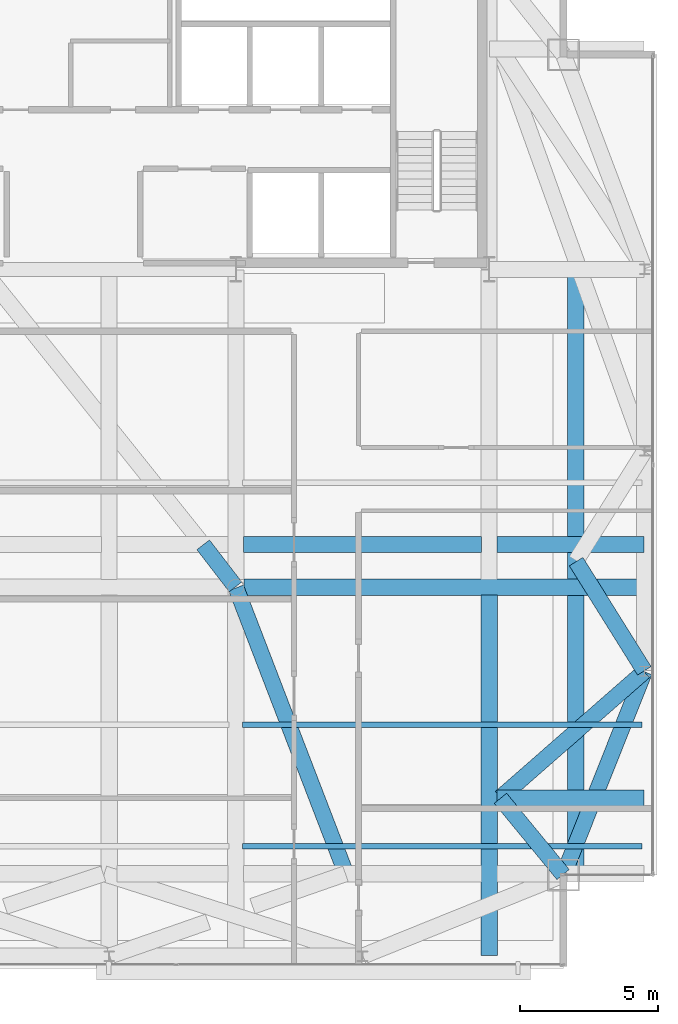
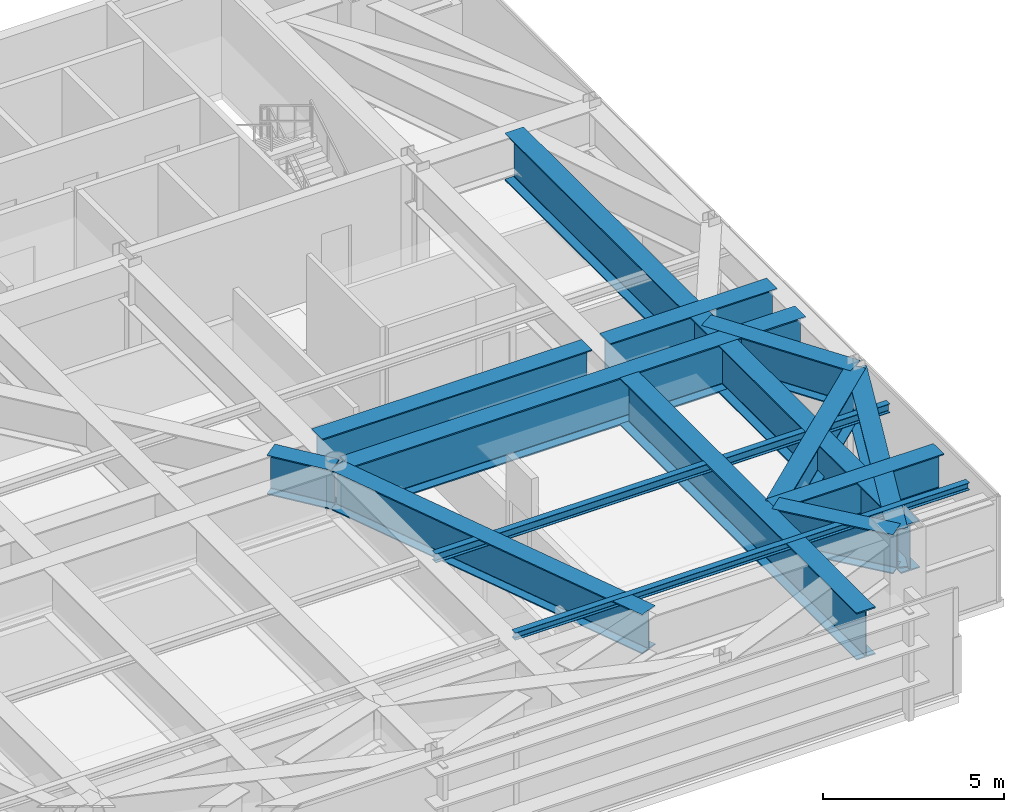
# One storey, part 13 of 23: 14 beams.
"""IFC4 building model written with IfcOpenShell, lengths in metres."""

from ifc_helpers import new_model, si_unit, direction, frame, origin, origin_2d, place, context, subcontext, project, spatial, i_section, extrude, source, transform, mapped, material, material_profile, profile_set, type_object, type_shapes, element, save


model = new_model("IFC4")

# Units and contexts
model_context = context("Model", 3, precision=1e-05, world=origin(), true_north=direction((0.0, 1.0)))
body_context = subcontext(model_context, "Body", "Model", "MODEL_VIEW")
ifc_project = project(units=[si_unit("LENGTHUNIT", "METRE"), si_unit("AREAUNIT", "SQUARE_METRE"), si_unit("VOLUMEUNIT", "CUBIC_METRE"), si_unit("PLANEANGLEUNIT", "RADIAN"), si_unit("MASSUNIT", "GRAM", prefix="KILO")], contexts=[model_context])

# Site, building, storey
site_placement = place(None, origin())
site = spatial("IfcSite", under=ifc_project, at=site_placement, CompositionType="ELEMENT")
building_placement = place(site_placement, origin())
building = spatial("IfcBuilding", under=site, at=building_placement, Name="Varnel Quay Broadcast Tower", CompositionType="ELEMENT")
storey_placement = place(building_placement, frame((0.0, 0.0, 254.60009765625)))
storey = spatial("IfcBuildingStorey", under=building, at=storey_placement, Name="L63", CompositionType="ELEMENT", Elevation=254.60009765625)

# Beams
ifc_material_1 = material(Name="Structural Steel CSA G40.21 350WT", Category="steel")
ifc_material_profile_1 = material_profile(ifc_material_1, i_section(OverallWidth=0.580078125, OverallDepth=1.330078125, WebThickness=0.02197265625, FlangeThickness=0.0380859375, FilletRadius=0.02001953125, at=origin_2d()), Name="WWF1330X535")
ifc_profile_set_1 = profile_set([ifc_material_profile_1], Name="Structural Steel CSA G40.21 350WT")
beam_type_1 = type_object("IfcBeamType", Name="Girder_WWF1330X535", PredefinedType="BEAM", material=ifc_profile_set_1)
shared_shape_1 = source(origin(), body_context, "Body", "SweptSolid", [
    extrude(i_section(OverallWidth=0.580078125, OverallDepth=1.330078125, WebThickness=0.02197265625, FlangeThickness=0.0380859375, FilletRadius=0.02001953125, at=origin_2d()), origin(), (0.0, 0.0, 1.0), 8.6298828125),
])
beam_1_placement = place(storey_placement, frame((43.485107421875, 25.610107421875, 2.885009765625), z_axis=(1.0, 0.0, 0.0), x_axis=(0.0, 1.0, 0.0)))
element("IfcBeam", 1, at=beam_1_placement, inside=storey, type_object=beam_type_1, Name="L63 Setback Interior Column Transfer 7", PredefinedType="BEAM", context=body_context, shape_type="MappedRepresentation", body=[
    mapped(shared_shape_1, transform((0.0, 0.0, 0.0), x_axis=(1.0, 0.0, 0.0), y_axis=(0.0, 1.0, 0.0), z_axis=(0.0, 0.0, 1.0), scale=1.0)),
])
shared_shape_2 = source(origin(), body_context, "Body", "SweptSolid", [
    extrude(i_section(OverallWidth=0.580078125, OverallDepth=1.330078125, WebThickness=0.02197265625, FlangeThickness=0.0380859375, FilletRadius=0.02001953125, at=origin_2d()), origin(), (0.0, 0.0, 1.0), 7.92626953125),
])
beam_2_placement = place(storey_placement, frame((55.107421875, 13.61865234375, 2.885009765625), z_axis=(0.370296431883, 0.928913641053, 0.0), x_axis=(-0.928913641053, 0.370296431883, 0.0)))
element("IfcBeam", 2, at=beam_2_placement, inside=storey, type_object=beam_type_1, Name="L63 East Transfer Spine MC-SE-TC-E1", PredefinedType="BEAM", context=body_context, shape_type="MappedRepresentation", body=[
    mapped(shared_shape_2, transform((0.0, 0.0, 0.0), x_axis=(1.0, 0.0, 0.0), y_axis=(0.0, 1.0, 0.0), z_axis=(0.0, 0.0, 1.0), scale=1.0)),
])
ifc_material_profile_2 = material_profile(ifc_material_1, i_section(OverallWidth=0.60009765625, OverallDepth=1.60009765625, WebThickness=0.02392578125, FlangeThickness=0.0419921875, FilletRadius=0.02197265625, at=origin_2d()), Name="WWF1600X620")
ifc_profile_set_2 = profile_set([ifc_material_profile_2], Name="Structural Steel CSA G40.21 350WT")
beam_type_2 = type_object("IfcBeamType", Name="Girder_WWF1600X620", PredefinedType="BEAM", material=ifc_profile_set_2)
shared_shape_3 = source(origin(), body_context, "Body", "SweptSolid", [
    extrude(i_section(OverallWidth=0.60009765625, OverallDepth=1.60009765625, WebThickness=0.02392578125, FlangeThickness=0.0419921875, FilletRadius=0.02197265625, at=origin_2d()), origin(), (0.0, 0.0, 1.0), 14.525146484375),
])
beam_3_placement = place(storey_placement, frame((43.5048828125, 24.050048828125, 2.75), z_axis=(1.0, 0.0, 0.0), x_axis=(0.0, 1.0, 0.0)))
element("IfcBeam", 3, at=beam_3_placement, inside=storey, type_object=beam_type_2, Name="L63 Mid Transfer Spine E", PredefinedType="BEAM", context=body_context, shape_type="MappedRepresentation", body=[
    mapped(shared_shape_3, transform((0.0, 0.0, 0.0), x_axis=(1.0, 0.0, 0.0), y_axis=(0.0, 1.0, 0.0), z_axis=(0.0, 0.0, 1.0), scale=1.0)),
])
shared_shape_4 = source(origin(), body_context, "Body", "SweptSolid", [
    extrude(i_section(OverallWidth=0.60009765625, OverallDepth=1.60009765625, WebThickness=0.02392578125, FlangeThickness=0.0419921875, FilletRadius=0.02197265625, at=origin_2d()), origin(), (0.0, 0.0, 1.0), 13.094970703125),
])
beam_4_placement = place(storey_placement, frame((52.39990234375, 10.669921875, 2.75), z_axis=(0.0, 1.0, 0.0), x_axis=(-1.0, 0.0, 0.0)))
element("IfcBeam", 4, at=beam_4_placement, inside=storey, type_object=beam_type_2, Name="L63 N-S Transfer Girder 7A", PredefinedType="BEAM", context=body_context, shape_type="MappedRepresentation", body=[
    mapped(shared_shape_4, transform((0.0, 0.0, 0.0), x_axis=(1.0, 0.0, 0.0), y_axis=(0.0, 1.0, 0.0), z_axis=(0.0, 0.0, 1.0), scale=1.0)),
])
shared_shape_5 = source(origin(), body_context, "Body", "SweptSolid", [
    extrude(i_section(OverallWidth=0.580078125, OverallDepth=1.330078125, WebThickness=0.02197265625, FlangeThickness=0.0380859375, FilletRadius=0.02001953125, at=origin_2d()), origin(), (0.0, 0.0, 1.0), 5.344970703125),
])
for number, where, z_axis, x_axis, name in (
    (5, (52.68505859375, 16.39990234375, 2.885009765625), (1.0, 0.0, 0.0), (0.0, 1.0, 0.0), "L63 Setback Corner South Transfer 8"),
    (6, (52.68505859375, 25.610107421875, 2.885009765625), (1.0, 0.0, 0.0), (0.0, 1.0, 0.0), "L63 Setback Interior Column Transfer 8"),
):
    element("IfcBeam", number, at=place(storey_placement, frame(where, z_axis=z_axis, x_axis=x_axis)), inside=storey, type_object=beam_type_1, Name=name, PredefinedType="BEAM", context=body_context, shape_type="MappedRepresentation", body=[
        mapped(shared_shape_5, transform((0.0, 0.0, 0.0), x_axis=(1.0, 0.0, 0.0), y_axis=(0.0, 1.0, 0.0), z_axis=(0.0, 0.0, 1.0), scale=1.0)),
    ])
shared_shape_6 = source(origin(), body_context, "Body", "SweptSolid", [
    extrude(i_section(OverallWidth=0.60009765625, OverallDepth=1.60009765625, WebThickness=0.02392578125, FlangeThickness=0.0419921875, FilletRadius=0.02197265625, at=origin_2d()), origin(), (0.0, 0.0, 1.0), 21.91015625),
])
type_shapes(beam_type_2, [shared_shape_3, shared_shape_4, shared_shape_6])
beam_5_placement = place(storey_placement, frame((55.550048828125, 13.669921875, 2.75), z_axis=(0.0, 1.0, 0.0), x_axis=(-1.0, 0.0, 0.0)))
element("IfcBeam", 7, at=beam_5_placement, inside=storey, type_object=beam_type_2, Name="L63 Setback East Transfer Header", PredefinedType="BEAM", context=body_context, shape_type="MappedRepresentation", body=[
    mapped(shared_shape_6, transform((0.0, 0.0, 0.0), x_axis=(1.0, 0.0, 0.0), y_axis=(0.0, 1.0, 0.0), z_axis=(0.0, 0.0, 1.0), scale=1.0)),
])
shared_shape_7 = source(origin(), body_context, "Body", "SweptSolid", [
    extrude(i_section(OverallWidth=0.580078125, OverallDepth=1.330078125, WebThickness=0.02197265625, FlangeThickness=0.0380859375, FilletRadius=0.02001953125, at=origin_2d()), origin(), (0.0, 0.0, 1.0), 3.58349609375),
])
beam_6_placement = place(storey_placement, frame((55.08740234375, 13.615478515625, 2.885009765625), z_axis=(-0.63475395181, 0.772714320213, 0.0), x_axis=(-0.772714320213, -0.63475395181, 0.0)))
element("IfcBeam", 8, at=beam_6_placement, inside=storey, type_object=beam_type_1, Name="L63 Nodal Transfer Tie MC-SE-MC-SE", PredefinedType="BEAM", context=body_context, shape_type="MappedRepresentation", body=[
    mapped(shared_shape_7, transform((0.0, 0.0, 0.0), x_axis=(1.0, 0.0, 0.0), y_axis=(0.0, 1.0, 0.0), z_axis=(0.0, 0.0, 1.0), scale=1.0)),
])
shared_shape_8 = source(origin(), body_context, "Body", "SweptSolid", [
    extrude(i_section(OverallWidth=0.580078125, OverallDepth=1.330078125, WebThickness=0.02197265625, FlangeThickness=0.0380859375, FilletRadius=0.02001953125, at=origin_2d()), origin(), (0.0, 0.0, 1.0), 6.940185546875),
])
beam_7_placement = place(storey_placement, frame((58.034912109375, 20.98681640625, 2.885009765625), z_axis=(-0.75212979861, -0.659014996827, 0.0), x_axis=(0.659014996827, -0.75212979861, 0.0)))
element("IfcBeam", 9, at=beam_7_placement, inside=storey, type_object=beam_type_1, Name="L63 Nodal Transfer Tie MC-SE-TC-E1", PredefinedType="BEAM", context=body_context, shape_type="MappedRepresentation", body=[
    mapped(shared_shape_8, transform((0.0, 0.0, 0.0), x_axis=(1.0, 0.0, 0.0), y_axis=(0.0, 1.0, 0.0), z_axis=(0.0, 0.0, 1.0), scale=1.0)),
])
shared_shape_9 = source(origin(), body_context, "Body", "SweptSolid", [
    extrude(i_section(OverallWidth=0.580078125, OverallDepth=1.330078125, WebThickness=0.02197265625, FlangeThickness=0.0380859375, FilletRadius=0.02001953125, at=origin_2d()), origin(), (0.0, 0.0, 1.0), 11.1025390625),
])
beam_8_placement = place(storey_placement, frame((43.207275390625, 24.03125, 2.885009765625), z_axis=(0.358979079309, -0.933345606203, 0.0), x_axis=(0.933345606203, 0.358979079309, 0.0)))
element("IfcBeam", 10, at=beam_8_placement, inside=storey, type_object=beam_type_1, Name="L63 Nodal Transfer Tie TC-S4-IC-02", PredefinedType="BEAM", context=body_context, shape_type="MappedRepresentation", body=[
    mapped(shared_shape_9, transform((0.0, 0.0, 0.0), x_axis=(1.0, 0.0, 0.0), y_axis=(0.0, 1.0, 0.0), z_axis=(0.0, 0.0, 1.0), scale=1.0)),
])
shared_shape_10 = source(origin(), body_context, "Body", "SweptSolid", [
    extrude(i_section(OverallWidth=0.580078125, OverallDepth=1.330078125, WebThickness=0.02197265625, FlangeThickness=0.0380859375, FilletRadius=0.02001953125, at=origin_2d()), origin(), (0.0, 0.0, 1.0), 4.6767578125),
])
beam_9_placement = place(storey_placement, frame((58.039306640625, 21.01708984375, 2.885009765625), z_axis=(-0.530017709514, 0.847986572772, 0.0), x_axis=(-0.847986572772, -0.530017709514, 0.0)))
element("IfcBeam", 11, at=beam_9_placement, inside=storey, type_object=beam_type_1, Name="L63 Nodal Transfer Tie TC-E1-TC-E1", PredefinedType="BEAM", context=body_context, shape_type="MappedRepresentation", body=[
    mapped(shared_shape_10, transform((0.0, 0.0, 0.0), x_axis=(1.0, 0.0, 0.0), y_axis=(0.0, 1.0, 0.0), z_axis=(0.0, 0.0, 1.0), scale=1.0)),
])
shared_shape_11 = source(origin(), body_context, "Body", "SweptSolid", [
    extrude(i_section(OverallWidth=0.580078125, OverallDepth=1.330078125, WebThickness=0.02197265625, FlangeThickness=0.0380859375, FilletRadius=0.02001953125, at=origin_2d()), origin(), (0.0, 0.0, 1.0), 1.927978515625),
])
type_shapes(beam_type_1, [shared_shape_1, shared_shape_2, shared_shape_5, shared_shape_7, shared_shape_8, shared_shape_9, shared_shape_10, shared_shape_11])
beam_10_placement = place(storey_placement, frame((43.187744140625, 24.06591796875, 2.885009765625), z_axis=(-0.609741359621, 0.792600450648, 0.0), x_axis=(-0.792600450648, -0.609741359621, 0.0)))
element("IfcBeam", 12, at=beam_10_placement, inside=storey, type_object=beam_type_1, Name="L63 Nodal Transfer Tie IC-02-IC-02", PredefinedType="BEAM", context=body_context, shape_type="MappedRepresentation", body=[
    mapped(shared_shape_11, transform((0.0, 0.0, 0.0), x_axis=(1.0, 0.0, 0.0), y_axis=(0.0, 1.0, 0.0), z_axis=(0.0, 0.0, 1.0), scale=1.0)),
])
ifc_material_2 = material(Name="Structural Steel CSA G40.21 350W", Category="steel")
ifc_material_profile_3 = material_profile(ifc_material_2, i_section(OverallWidth=0.201904296875, OverallDepth=0.2470703125, WebThickness=0.00732421875, FlangeThickness=0.010986328125, FilletRadius=0.010986328125, at=origin_2d()), Name="W250X49")
ifc_profile_set_3 = profile_set([ifc_material_profile_3], Name="Structural Steel CSA G40.21 350W")
beam_type_3 = type_object("IfcBeamType", Name="Beam_W250X49", PredefinedType="JOIST", material=ifc_profile_set_3)
shared_shape_12 = source(origin(), body_context, "Body", "SweptSolid", [
    extrude(i_section(OverallWidth=0.201904296875, OverallDepth=0.2470703125, WebThickness=0.00732421875, FlangeThickness=0.010986328125, FilletRadius=0.010986328125, at=origin_2d()), origin(), (0.0, 0.0, 1.0), 14.50732421875),
])
type_shapes(beam_type_3, [shared_shape_12])
beam_11_placement = place(storey_placement, frame((43.445068359375, 14.64990234375, 3.426513671875), z_axis=(1.0, 0.0, 0.0), x_axis=(0.0, 1.0, 0.0)))
element("IfcBeam", 13, at=beam_11_placement, inside=storey, type_object=beam_type_3, Name="L63 East Floor Joist 1", PredefinedType="JOIST", context=body_context, shape_type="MappedRepresentation", body=[
    mapped(shared_shape_12, transform((0.0, 0.0, 0.0), x_axis=(1.0, 0.0, 0.0), y_axis=(0.0, 1.0, 0.0), z_axis=(0.0, 0.0, 1.0), scale=1.0)),
])
ifc_material_profile_4 = material_profile(ifc_material_2, i_section(OverallWidth=0.202880859375, OverallDepth=0.302978515625, WebThickness=0.007568359375, FlangeThickness=0.01318359375, FilletRadius=0.011962890625, at=origin_2d()), Name="W310X60")
ifc_profile_set_4 = profile_set([ifc_material_profile_4], Name="Structural Steel CSA G40.21 350W")
beam_type_4 = type_object("IfcBeamType", Name="Beam_W310X60", PredefinedType="JOIST", material=ifc_profile_set_4)
shared_shape_13 = source(origin(), body_context, "Body", "SweptSolid", [
    extrude(i_section(OverallWidth=0.202880859375, OverallDepth=0.302978515625, WebThickness=0.007568359375, FlangeThickness=0.01318359375, FilletRadius=0.011962890625, at=origin_2d()), origin(), (0.0, 0.0, 1.0), 14.50732421875),
])
type_shapes(beam_type_4, [shared_shape_13])
beam_12_placement = place(storey_placement, frame((43.445068359375, 19.050048828125, 3.3984375), z_axis=(1.0, 0.0, 0.0), x_axis=(0.0, 1.0, 0.0)))
element("IfcBeam", 14, at=beam_12_placement, inside=storey, type_object=beam_type_4, Name="L63 East Floor Joist 2", PredefinedType="JOIST", context=body_context, shape_type="MappedRepresentation", body=[
    mapped(shared_shape_13, transform((0.0, 0.0, 0.0), x_axis=(1.0, 0.0, 0.0), y_axis=(0.0, 1.0, 0.0), z_axis=(0.0, 0.0, 1.0), scale=1.0)),
])

save(model, "model.ifc")
